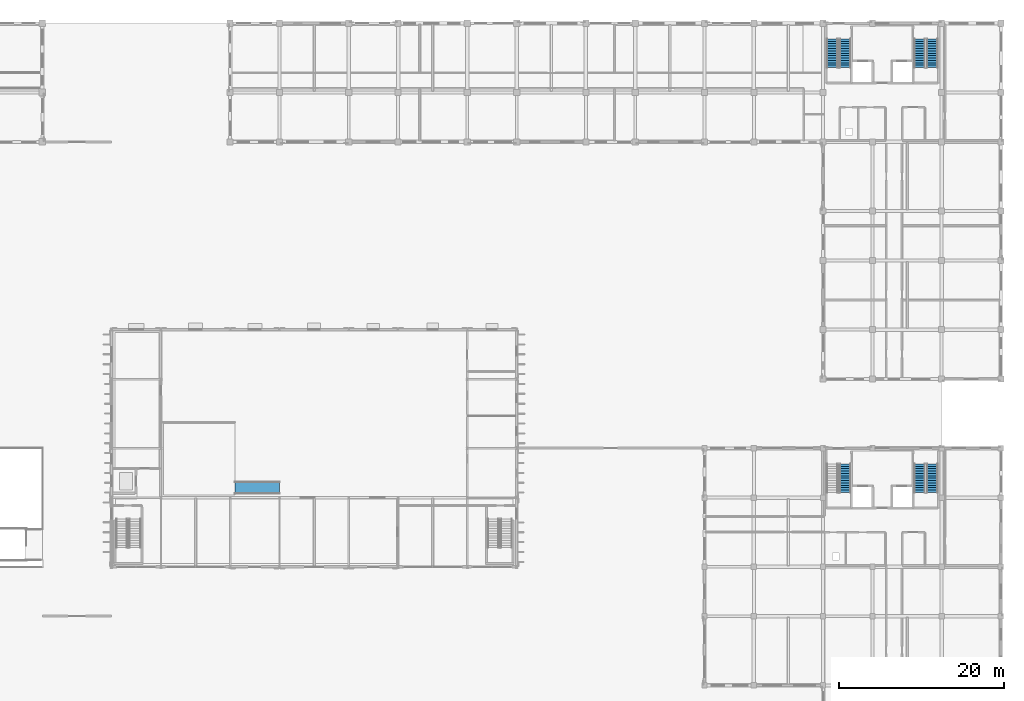
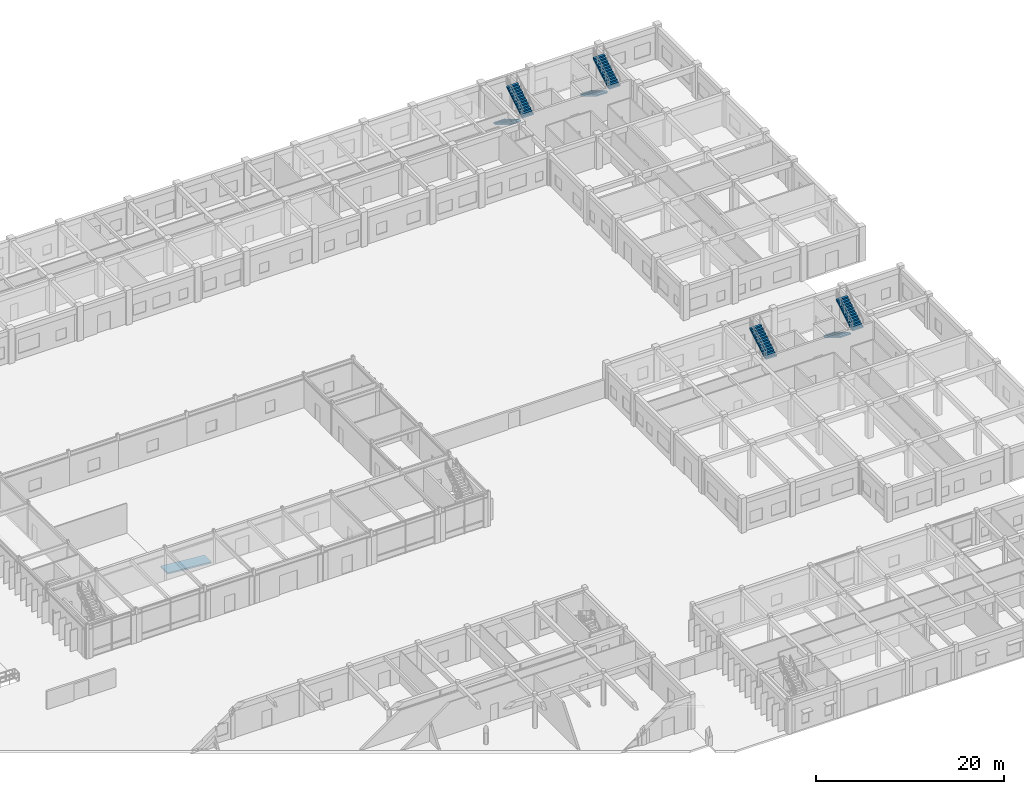
# One storey, part 50 of 67: 7 stair flights, 1 ramp flight, 5 elements without a shape of their own.
"""IFC4 building model written with IfcOpenShell, lengths in metres."""

from ifc_helpers import new_model, si_unit, direction, frame, origin, place, context, subcontext, project, spatial, polyline, outline, extrude, material, layer, layer_set, type_object, element, aggregate, save


model = new_model("IFC4")

# Units and contexts
model_context = context("Model", 3, precision=1e-05, world=origin(), true_north=direction((0.0, 1.0)))
body_context = subcontext(model_context, "Body", "Model", "MODEL_VIEW")
ifc_project = project(units=[si_unit("LENGTHUNIT", "METRE"), si_unit("AREAUNIT", "SQUARE_METRE"), si_unit("VOLUMEUNIT", "CUBIC_METRE"), si_unit("PLANEANGLEUNIT", "RADIAN"), si_unit("MASSUNIT", "GRAM", prefix="KILO"), si_unit("THERMODYNAMICTEMPERATUREUNIT", "KELVIN")], contexts=[model_context])

# Site, building, storey
site_placement = place(None, origin())
site = spatial("IfcSite", under=ifc_project, at=site_placement, CompositionType="ELEMENT")
building_placement = place(site_placement, origin())
building = spatial("IfcBuilding", under=site, at=building_placement, Name="Thalorik Housing Commons", CompositionType="ELEMENT")
storey_placement = place(building_placement, origin())
storey = spatial("IfcBuildingStorey", under=building, at=storey_placement, Name="L00", CompositionType="ELEMENT", Elevation=0.0)

# Stair, stair flights
ifc_material = material(Name="Precast concrete C40/50", Category="concrete")
stair_type = type_object("IfcStairType", Name="ARC-STR-1350-R26", PredefinedType="HALF_TURN_STAIR", material=ifc_material)
stair_1_placement = place(storey_placement, origin())
stair_1 = element("IfcStair", 1, at=stair_1_placement, inside=storey, type_object=stair_type, Name="L00 Block B Smoke-Proof Stair 1", PredefinedType="HALF_TURN_STAIR")
stair_flight_type = type_object("IfcStairFlightType", Name="ARC-SFLT-1350-R13", PredefinedType="STRAIGHT", material=ifc_material)
stair_flight_1_placement = place(storey_placement, frame((153.52490234375, 121.699951171875, 0.0), z_axis=(0.0, 0.0, 1.0), x_axis=(0.0, -1.0, 0.0)))
stair_flight_1 = element("IfcStairFlight", 2, at=stair_flight_1_placement, type_object=stair_flight_type, Name="ST-B1 flight 1", NumberOfRisers=13, NumberOfTreads=12, PredefinedType="STRAIGHT", RiserHeight=0.173076923, TreadLength=0.29, context=body_context, shape_type="SweptSolid", body=[
    extrude(outline(polyline([(0.0, 0.0), (0.0, 0.173095703125), (0.2900390625, 0.173095703125), (0.2900390625, 0.34619140625), (0.580078125, 0.34619140625), (0.580078125, 0.519287109375), (0.8701171875, 0.519287109375), (0.8701171875, 0.6923828125), (1.159912109375, 0.6923828125), (1.159912109375, 0.865478515625), (1.449951171875, 0.865478515625), (1.449951171875, 1.03857421875), (1.739990234375, 1.03857421875), (1.739990234375, 1.21142578125), (2.030029296875, 1.21142578125), (2.030029296875, 1.384521484375), (2.320068359375, 1.384521484375), (2.320068359375, 1.5576171875), (2.610107421875, 1.5576171875), (2.610107421875, 1.730712890625), (2.89990234375, 1.730712890625), (2.89990234375, 1.90380859375), (3.18994140625, 1.90380859375), (3.18994140625, 2.076904296875), (3.47998046875, 2.076904296875), (3.47998046875, 2.25), (3.47998046875, 1.890625), (0.31201171875, 0.0), (0.0, 0.0)])), frame((0.0, 0.675048828125, 0.0), z_axis=(0.0, -1.0, 0.0), x_axis=(1.0, 0.0, 0.0)), (0.0, 0.0, 1.0), 1.35009765625),
])
stair_flight_2_placement = place(storey_placement, frame((155.074951171875, 118.219970703125, 2.25), z_axis=(0.0, 0.0, 1.0), x_axis=(0.0, 1.0, 0.0)))
stair_flight_2 = element("IfcStairFlight", 3, at=stair_flight_2_placement, type_object=stair_flight_type, Name="ST-B1 flight 2", NumberOfRisers=13, NumberOfTreads=12, PredefinedType="STRAIGHT", RiserHeight=0.173076923, TreadLength=0.29, context=body_context, shape_type="SweptSolid", body=[
    extrude(outline(polyline([(0.0, 0.0), (0.0, 0.173095703125), (0.2900390625, 0.173095703125), (0.2900390625, 0.34619140625), (0.580078125, 0.34619140625), (0.580078125, 0.519287109375), (0.8701171875, 0.519287109375), (0.8701171875, 0.6923828125), (1.159912109375, 0.6923828125), (1.159912109375, 0.865478515625), (1.449951171875, 0.865478515625), (1.449951171875, 1.03857421875), (1.739990234375, 1.03857421875), (1.739990234375, 1.21142578125), (2.030029296875, 1.21142578125), (2.030029296875, 1.384521484375), (2.320068359375, 1.384521484375), (2.320068359375, 1.5576171875), (2.610107421875, 1.5576171875), (2.610107421875, 1.730712890625), (2.89990234375, 1.730712890625), (2.89990234375, 1.90380859375), (3.18994140625, 1.90380859375), (3.18994140625, 2.076904296875), (3.47998046875, 2.076904296875), (3.47998046875, 2.25), (3.47998046875, 1.890625), (0.31201171875, 0.0), (0.0, 0.0)])), frame((0.0, 0.675048828125, 0.0), z_axis=(0.0, -1.0, 0.0), x_axis=(1.0, 0.0, 0.0)), (0.0, 0.0, 1.0), 1.35009765625),
])
aggregate(stair_1, [stair_flight_1, stair_flight_2])

stair_2_placement = place(storey_placement, origin())
stair_2 = element("IfcStair", 4, at=stair_2_placement, inside=storey, type_object=stair_type, Name="L00 Block B Smoke-Proof Stair 2", PredefinedType="HALF_TURN_STAIR")
stair_flight_3_placement = place(storey_placement, frame((164.125, 121.699951171875, 0.0), z_axis=(0.0, 0.0, 1.0), x_axis=(0.0, -1.0, 0.0)))
stair_flight_3 = element("IfcStairFlight", 5, at=stair_flight_3_placement, type_object=stair_flight_type, Name="ST-B2 flight 1", NumberOfRisers=13, NumberOfTreads=12, PredefinedType="STRAIGHT", RiserHeight=0.173076923, TreadLength=0.29, context=body_context, shape_type="SweptSolid", body=[
    extrude(outline(polyline([(0.0, 0.0), (0.0, 0.173095703125), (0.2900390625, 0.173095703125), (0.2900390625, 0.34619140625), (0.580078125, 0.34619140625), (0.580078125, 0.519287109375), (0.8701171875, 0.519287109375), (0.8701171875, 0.6923828125), (1.159912109375, 0.6923828125), (1.159912109375, 0.865478515625), (1.449951171875, 0.865478515625), (1.449951171875, 1.03857421875), (1.739990234375, 1.03857421875), (1.739990234375, 1.21142578125), (2.030029296875, 1.21142578125), (2.030029296875, 1.384521484375), (2.320068359375, 1.384521484375), (2.320068359375, 1.5576171875), (2.610107421875, 1.5576171875), (2.610107421875, 1.730712890625), (2.89990234375, 1.730712890625), (2.89990234375, 1.90380859375), (3.18994140625, 1.90380859375), (3.18994140625, 2.076904296875), (3.47998046875, 2.076904296875), (3.47998046875, 2.25), (3.47998046875, 1.890625), (0.31201171875, 0.0), (0.0, 0.0)])), frame((0.0, 0.675048828125, 0.0), z_axis=(0.0, -1.0, 0.0), x_axis=(1.0, 0.0, 0.0)), (0.0, 0.0, 1.0), 1.35009765625),
])
stair_flight_4_placement = place(storey_placement, frame((165.675048828125, 118.219970703125, 2.25), z_axis=(0.0, 0.0, 1.0), x_axis=(0.0, 1.0, 0.0)))
stair_flight_4 = element("IfcStairFlight", 6, at=stair_flight_4_placement, type_object=stair_flight_type, Name="ST-B2 flight 2", NumberOfRisers=13, NumberOfTreads=12, PredefinedType="STRAIGHT", RiserHeight=0.173076923, TreadLength=0.29, context=body_context, shape_type="SweptSolid", body=[
    extrude(outline(polyline([(0.0, 0.0), (0.0, 0.173095703125), (0.2900390625, 0.173095703125), (0.2900390625, 0.34619140625), (0.580078125, 0.34619140625), (0.580078125, 0.519287109375), (0.8701171875, 0.519287109375), (0.8701171875, 0.6923828125), (1.159912109375, 0.6923828125), (1.159912109375, 0.865478515625), (1.449951171875, 0.865478515625), (1.449951171875, 1.03857421875), (1.739990234375, 1.03857421875), (1.739990234375, 1.21142578125), (2.030029296875, 1.21142578125), (2.030029296875, 1.384521484375), (2.320068359375, 1.384521484375), (2.320068359375, 1.5576171875), (2.610107421875, 1.5576171875), (2.610107421875, 1.730712890625), (2.89990234375, 1.730712890625), (2.89990234375, 1.90380859375), (3.18994140625, 1.90380859375), (3.18994140625, 2.076904296875), (3.47998046875, 2.076904296875), (3.47998046875, 2.25), (3.47998046875, 1.890625), (0.31201171875, 0.0), (0.0, 0.0)])), frame((0.0, 0.675048828125, 0.0), z_axis=(0.0, -1.0, 0.0), x_axis=(1.0, 0.0, 0.0)), (0.0, 0.0, 1.0), 1.35009765625),
])
aggregate(stair_2, [stair_flight_3, stair_flight_4])

# Stair, stair flight
stair_3_placement = place(storey_placement, origin())
stair_3 = element("IfcStair", 7, at=stair_3_placement, inside=storey, type_object=stair_type, Name="L00 Block D Smoke-Proof Stair 1", PredefinedType="HALF_TURN_STAIR")
stair_flight_5_placement = place(storey_placement, frame((155.074951171875, 66.6201171875, 2.25), z_axis=(0.0, 0.0, 1.0), x_axis=(0.0, 1.0, 0.0)))
stair_flight_5 = element("IfcStairFlight", 8, at=stair_flight_5_placement, type_object=stair_flight_type, Name="ST-D1 flight 2", NumberOfRisers=13, NumberOfTreads=12, PredefinedType="STRAIGHT", RiserHeight=0.173076923, TreadLength=0.29, context=body_context, shape_type="SweptSolid", body=[
    extrude(outline(polyline([(0.0, 0.0), (0.0, 0.173095703125), (0.2900390625, 0.173095703125), (0.2900390625, 0.34619140625), (0.580078125, 0.34619140625), (0.580078125, 0.519287109375), (0.8701171875, 0.519287109375), (0.8701171875, 0.6923828125), (1.159912109375, 0.6923828125), (1.159912109375, 0.865478515625), (1.449951171875, 0.865478515625), (1.449951171875, 1.03857421875), (1.739990234375, 1.03857421875), (1.739990234375, 1.21142578125), (2.030029296875, 1.21142578125), (2.030029296875, 1.384521484375), (2.320068359375, 1.384521484375), (2.320068359375, 1.5576171875), (2.610107421875, 1.5576171875), (2.610107421875, 1.730712890625), (2.89990234375, 1.730712890625), (2.89990234375, 1.90380859375), (3.18994140625, 1.90380859375), (3.18994140625, 2.076904296875), (3.47998046875, 2.076904296875), (3.47998046875, 2.25), (3.47998046875, 1.890625), (0.31201171875, 0.0), (0.0, 0.0)])), frame((0.0, 0.675048828125, 0.0), z_axis=(0.0, -1.0, 0.0), x_axis=(1.0, 0.0, 0.0)), (0.0, 0.0, 1.0), 1.35009765625),
])
aggregate(stair_3, [stair_flight_5])

# Stair, stair flights
stair_4_placement = place(storey_placement, origin())
stair_4 = element("IfcStair", 9, at=stair_4_placement, inside=storey, type_object=stair_type, Name="L00 Block D Smoke-Proof Stair 2", PredefinedType="HALF_TURN_STAIR")
stair_flight_6_placement = place(storey_placement, frame((164.125, 70.10009765625, 0.0), z_axis=(0.0, 0.0, 1.0), x_axis=(0.0, -1.0, 0.0)))
stair_flight_6 = element("IfcStairFlight", 10, at=stair_flight_6_placement, type_object=stair_flight_type, Name="ST-D2 flight 1", NumberOfRisers=13, NumberOfTreads=12, PredefinedType="STRAIGHT", RiserHeight=0.173076923, TreadLength=0.29, context=body_context, shape_type="SweptSolid", body=[
    extrude(outline(polyline([(0.0, 0.0), (0.0, 0.173095703125), (0.2900390625, 0.173095703125), (0.2900390625, 0.34619140625), (0.580078125, 0.34619140625), (0.580078125, 0.519287109375), (0.8701171875, 0.519287109375), (0.8701171875, 0.6923828125), (1.159912109375, 0.6923828125), (1.159912109375, 0.865478515625), (1.449951171875, 0.865478515625), (1.449951171875, 1.03857421875), (1.739990234375, 1.03857421875), (1.739990234375, 1.21142578125), (2.030029296875, 1.21142578125), (2.030029296875, 1.384521484375), (2.320068359375, 1.384521484375), (2.320068359375, 1.5576171875), (2.610107421875, 1.5576171875), (2.610107421875, 1.730712890625), (2.89990234375, 1.730712890625), (2.89990234375, 1.90380859375), (3.18994140625, 1.90380859375), (3.18994140625, 2.076904296875), (3.47998046875, 2.076904296875), (3.47998046875, 2.25), (3.47998046875, 1.890625), (0.31201171875, 0.0), (0.0, 0.0)])), frame((0.0, 0.675048828125, 0.0), z_axis=(0.0, -1.0, 0.0), x_axis=(1.0, 0.0, 0.0)), (0.0, 0.0, 1.0), 1.35009765625),
])
stair_flight_7_placement = place(storey_placement, frame((165.675048828125, 66.6201171875, 2.25), z_axis=(0.0, 0.0, 1.0), x_axis=(0.0, 1.0, 0.0)))
stair_flight_7 = element("IfcStairFlight", 11, at=stair_flight_7_placement, type_object=stair_flight_type, Name="ST-D2 flight 2", NumberOfRisers=13, NumberOfTreads=12, PredefinedType="STRAIGHT", RiserHeight=0.173076923, TreadLength=0.29, context=body_context, shape_type="SweptSolid", body=[
    extrude(outline(polyline([(0.0, 0.0), (0.0, 0.173095703125), (0.2900390625, 0.173095703125), (0.2900390625, 0.34619140625), (0.580078125, 0.34619140625), (0.580078125, 0.519287109375), (0.8701171875, 0.519287109375), (0.8701171875, 0.6923828125), (1.159912109375, 0.6923828125), (1.159912109375, 0.865478515625), (1.449951171875, 0.865478515625), (1.449951171875, 1.03857421875), (1.739990234375, 1.03857421875), (1.739990234375, 1.21142578125), (2.030029296875, 1.21142578125), (2.030029296875, 1.384521484375), (2.320068359375, 1.384521484375), (2.320068359375, 1.5576171875), (2.610107421875, 1.5576171875), (2.610107421875, 1.730712890625), (2.89990234375, 1.730712890625), (2.89990234375, 1.90380859375), (3.18994140625, 1.90380859375), (3.18994140625, 2.076904296875), (3.47998046875, 2.076904296875), (3.47998046875, 2.25), (3.47998046875, 1.890625), (0.31201171875, 0.0), (0.0, 0.0)])), frame((0.0, 0.675048828125, 0.0), z_axis=(0.0, -1.0, 0.0), x_axis=(1.0, 0.0, 0.0)), (0.0, 0.0, 1.0), 1.35009765625),
])
aggregate(stair_4, [stair_flight_6, stair_flight_7])

# Ramp, ramp flight
ramp_type = type_object("IfcRampType", Name="ARC-RMP-STAGE", PredefinedType="STRAIGHT_RUN_RAMP", material=ifc_material)
ramp_placement = place(storey_placement, origin())
ramp = element("IfcRamp", 12, at=ramp_placement, inside=storey, type_object=ramp_type, Name="L00 Community Hall Stage Accessible Ramp", PredefinedType="STRAIGHT_RUN_RAMP")
ifc_layer = layer(ifc_material, 0.199951171875, Name="Precast concrete C40/50", Category="concrete")
ifc_layer_set = layer_set([ifc_layer], Name="Precast concrete C40/50")
ramp_flight_type = type_object("IfcRampFlightType", Name="ARC-RMPFLT-150", PredefinedType="STRAIGHT", material=ifc_layer_set)
ramp_flight_placement = place(storey_placement, frame((86.39990234375, 67.199951171875, 0.0), z_axis=(0.0, 0.0, 1.0), x_axis=(-1.0, 0.0, 0.0)))
ramp_flight = element("IfcRampFlight", 13, at=ramp_flight_placement, type_object=ramp_flight_type, Name="Hall Stage Ramp Flight", PredefinedType="STRAIGHT", context=body_context, shape_type="SweptSolid", body=[
    extrude(outline(polyline([(0.0, 0.0), (0.0, -0.199951171875), (5.39990234375, 0.25), (5.39990234375, 0.449951171875), (0.0, 0.0)])), frame((0.0, 0.75, 0.0), z_axis=(0.0, -1.0, 0.0), x_axis=(1.0, 0.0, 0.0)), (0.0, 0.0, 1.0), 1.5),
])
aggregate(ramp, [ramp_flight])

save(model, "model.ifc")
